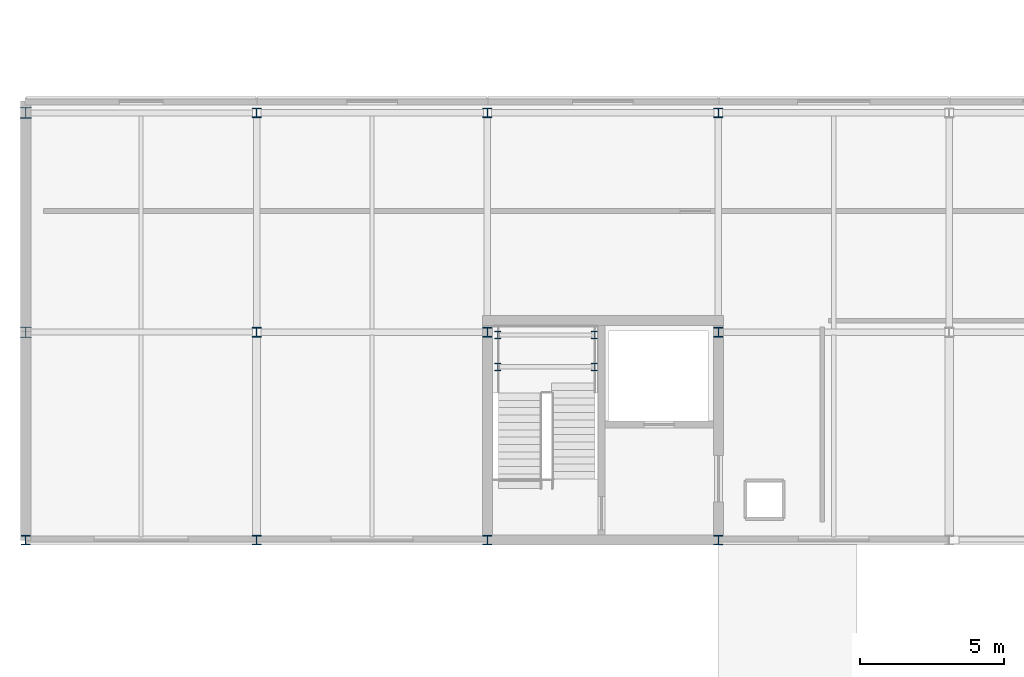
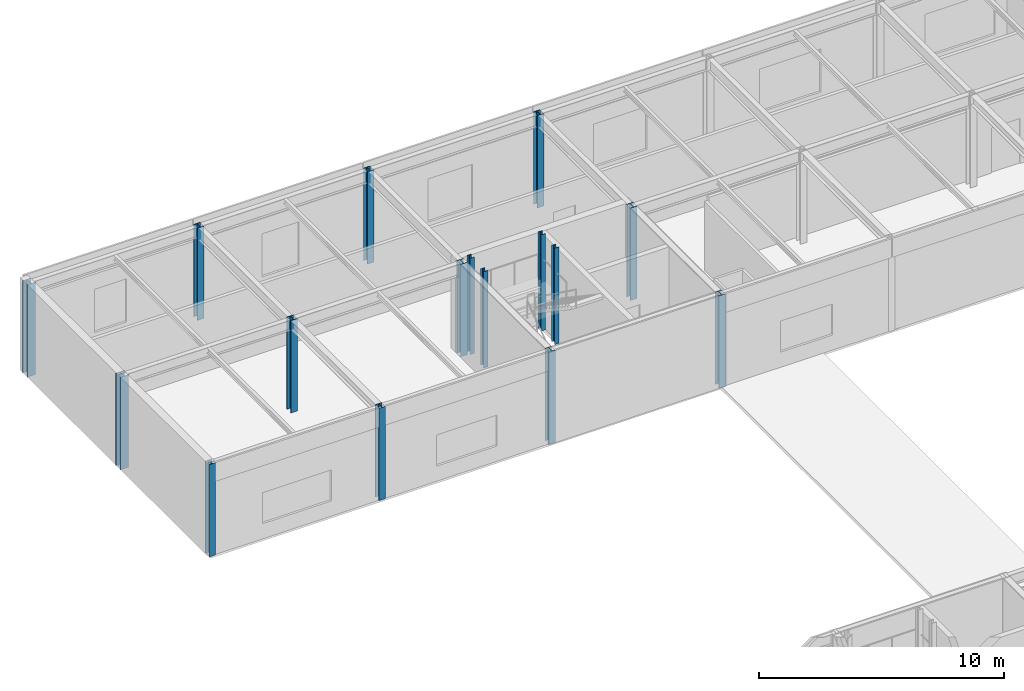
# One storey, part 5 of 100: 16 columns.
"""IFC4 building model written with IfcOpenShell, lengths in metres."""

from ifc_helpers import new_model, si_unit, direction, frame, origin, origin_2d, place, context, subcontext, project, spatial, i_section, extrude, material, material_profile, profile_set, type_object, element, save


model = new_model("IFC4")

# Units and contexts
model_context = context("Model", 3, precision=1e-05, world=origin(), true_north=direction((0.0, 1.0)))
body_context = subcontext(model_context, "Body", "Model", "MODEL_VIEW")
ifc_project = project(units=[si_unit("LENGTHUNIT", "METRE"), si_unit("AREAUNIT", "SQUARE_METRE"), si_unit("VOLUMEUNIT", "CUBIC_METRE"), si_unit("PLANEANGLEUNIT", "RADIAN"), si_unit("MASSUNIT", "GRAM", prefix="KILO")], contexts=[model_context])

# Site, building, storey
site_placement = place(None, origin())
site = spatial("IfcSite", under=ifc_project, at=site_placement, CompositionType="ELEMENT")
building_placement = place(site_placement, origin())
building = spatial("IfcBuilding", under=site, at=building_placement, Name="Zulena Civic Courthouse", CompositionType="ELEMENT")
storey_placement = place(building_placement, frame((0.0, 0.0, 20.39990234375)))
storey = spatial("IfcBuildingStorey", under=building, at=storey_placement, Name="L04", CompositionType="ELEMENT", Elevation=20.39990234375)

# Columns
ifc_material = material(Name="Steel ASTM A992 Grade 50", Category="steel")
ifc_material_profile_1 = material_profile(ifc_material, i_section(OverallWidth=0.2041015625, OverallDepth=0.257080078125, WebThickness=0.0087890625, FlangeThickness=0.015625, FilletRadius=0.0126953125, at=origin_2d()), Name="W10X45")
ifc_profile_set_1 = profile_set([ifc_material_profile_1], Name="Steel ASTM A992 Grade 50")
column_type_1 = type_object("IfcColumnType", Name="Col_W10X45", PredefinedType="COLUMN", material=ifc_profile_set_1)
for number, where, z_axis, x_axis, name in (
    (1, (20.360107421875, 52.0, 0.0), (0.0, 0.0, 1.0), (1.0, 0.0, 0.0), "col:lnd:K5A:L04:0:0"),
    (2, (23.699951171875, 52.0, 0.0), (0.0, 0.0, 1.0), (1.0, 0.0, 0.0), "col:lnd:K5A:L04:0:1"),
    (3, (20.360107421875, 53.10009765625, 0.0), (0.0, 0.0, 1.0), (1.0, 0.0, 0.0), "col:lnd:K5A:L04:1:0"),
    (4, (23.699951171875, 53.10009765625, 0.0), (0.0, 0.0, 1.0), (1.0, 0.0, 0.0), "col:lnd:K5A:L04:1:1"),
):
    element("IfcColumn", number, at=place(storey_placement, frame(where, z_axis=z_axis, x_axis=x_axis)), inside=storey, type_object=column_type_1, Name=name, PredefinedType="COLUMN", context=body_context, shape_type="SweptSolid", body=[
        extrude(i_section(OverallWidth=0.2041015625, OverallDepth=0.257080078125, WebThickness=0.0087890625, FlangeThickness=0.015625, FilletRadius=0.0126953125, at=origin_2d()), origin(), (0.0, 0.0, 1.0), 4.795166015625),
    ])
ifc_material_profile_2 = material_profile(ifc_material, i_section(OverallWidth=0.31298828125, OverallDepth=0.3330078125, WebThickness=0.01806640625, FlangeThickness=0.0283203125, FilletRadius=0.01513671875, at=origin_2d()), Name="W12X120")
ifc_profile_set_2 = profile_set([ifc_material_profile_2], Name="Steel ASTM A992 Grade 50")
column_type_2 = type_object("IfcColumnType", Name="Col_W12X120", PredefinedType="COLUMN", material=ifc_profile_set_2)
for number, where, z_axis, x_axis, name in (
    (5, (12.0, 53.199951171875, 0.0), (0.0, 0.0, 1.0), (1.0, 0.0, 0.0), "col:V5:L04:12.0:53.2"),
    (6, (12.0, 60.800048828125, 0.0), (0.0, 0.0, 1.0), (1.0, 0.0, 0.0), "col:V5:L04:12.0:60.8"),
    (7, (20.0, 53.199951171875, 0.0), (0.0, 0.0, 1.0), (1.0, 0.0, 0.0), "col:V5:L04:20.0:53.2"),
    (8, (20.0, 60.800048828125, 0.0), (0.0, 0.0, 1.0), (1.0, 0.0, 0.0), "col:V5:L04:20.0:60.8"),
    (9, (28.0, 53.199951171875, 0.0), (0.0, 0.0, 1.0), (1.0, 0.0, 0.0), "col:V5:L04:28.0:53.2"),
    (10, (28.0, 60.800048828125, 0.0), (0.0, 0.0, 1.0), (1.0, 0.0, 0.0), "col:V5:L04:28.0:60.8"),
):
    element("IfcColumn", number, at=place(storey_placement, frame(where, z_axis=z_axis, x_axis=x_axis)), inside=storey, type_object=column_type_2, Name=name, PredefinedType="COLUMN", context=body_context, shape_type="SweptSolid", body=[
        extrude(i_section(OverallWidth=0.31298828125, OverallDepth=0.3330078125, WebThickness=0.01806640625, FlangeThickness=0.0283203125, FilletRadius=0.01513671875, at=origin_2d()), origin(), (0.0, 0.0, 1.0), 4.59521484375),
    ])
ifc_material_profile_3 = material_profile(ifc_material, i_section(OverallWidth=0.30908203125, OverallDepth=0.322998046875, WebThickness=0.013916015625, FlangeThickness=0.02294921875, FilletRadius=0.01513671875, at=origin_2d()), Name="W12X96")
ifc_profile_set_3 = profile_set([ifc_material_profile_3], Name="Steel ASTM A992 Grade 50")
column_type_3 = type_object("IfcColumnType", Name="Col_W12X96", PredefinedType="COLUMN", material=ifc_profile_set_3)
for number, where, z_axis, x_axis, name in (
    (11, (4.0, 46.0, 0.0), (0.0, 0.0, 1.0), (1.0, 0.0, 0.0), "col:V5:L04:4.0:46.0"),
    (12, (12.0, 46.0, 0.0), (0.0, 0.0, 1.0), (1.0, 0.0, 0.0), "col:V5:L04:12.0:46.0"),
    (13, (20.0, 46.0, 0.0), (0.0, 0.0, 1.0), (1.0, 0.0, 0.0), "col:V5:L04:20.0:46.0"),
    (14, (28.0, 46.0, 0.0), (0.0, 0.0, 1.0), (1.0, 0.0, 0.0), "col:V5:L04:28.0:46.0"),
):
    element("IfcColumn", number, at=place(storey_placement, frame(where, z_axis=z_axis, x_axis=x_axis)), inside=storey, type_object=column_type_3, Name=name, PredefinedType="COLUMN", context=body_context, shape_type="SweptSolid", body=[
        extrude(i_section(OverallWidth=0.30908203125, OverallDepth=0.322998046875, WebThickness=0.013916015625, FlangeThickness=0.02294921875, FilletRadius=0.01513671875, at=origin_2d()), origin(), (0.0, 0.0, 1.0), 4.59521484375),
    ])
ifc_material_profile_4 = material_profile(ifc_material, i_section(OverallWidth=0.39404296875, OverallDepth=0.3759765625, WebThickness=0.017333984375, FlangeThickness=0.027587890625, FilletRadius=0.01513671875, at=origin_2d()), Name="W14X145")
ifc_profile_set_4 = profile_set([ifc_material_profile_4], Name="Steel ASTM A992 Grade 50")
column_type_4 = type_object("IfcColumnType", Name="Col_W14X145", PredefinedType="COLUMN", material=ifc_profile_set_4)
for number, where, z_axis, x_axis, name in (
    (15, (4.0, 53.199951171875, 0.0), (0.0, 0.0, 1.0), (1.0, 0.0, 0.0), "col:V5:L04:4.0:53.2"),
    (16, (4.0, 60.800048828125, 0.0), (0.0, 0.0, 1.0), (1.0, 0.0, 0.0), "col:V5:L04:4.0:60.8"),
):
    element("IfcColumn", number, at=place(storey_placement, frame(where, z_axis=z_axis, x_axis=x_axis)), inside=storey, type_object=column_type_4, Name=name, PredefinedType="COLUMN", context=body_context, shape_type="SweptSolid", body=[
        extrude(i_section(OverallWidth=0.39404296875, OverallDepth=0.3759765625, WebThickness=0.017333984375, FlangeThickness=0.027587890625, FilletRadius=0.01513671875, at=origin_2d()), origin(), (0.0, 0.0, 1.0), 4.59521484375),
    ])

save(model, "model.ifc")
